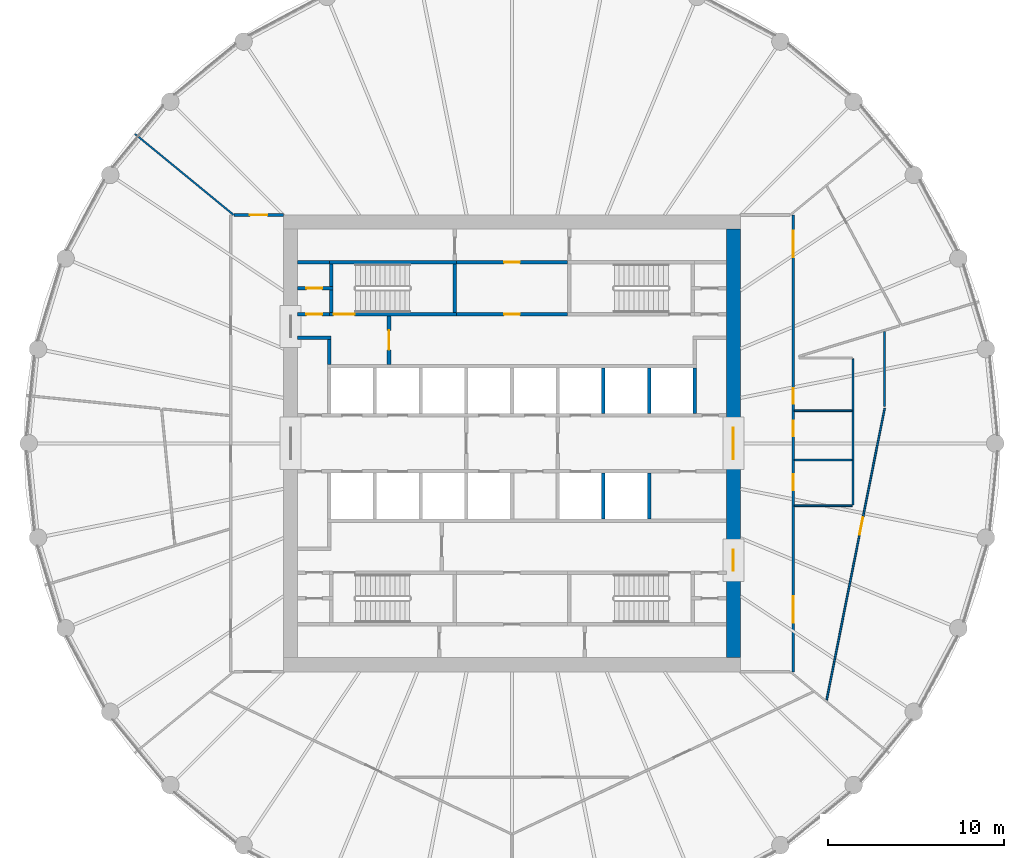
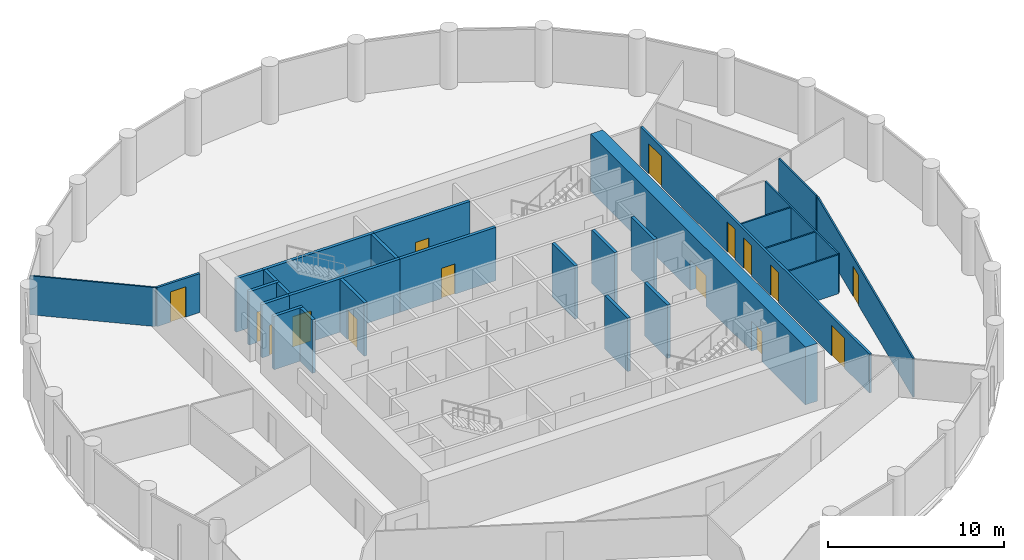
# One storey, part 6 of 8: 28 walls, 15 doors, 15 openings.
"""IFC4 building model written with IfcOpenShell, lengths in metres."""

from ifc_helpers import new_model, si_unit, direction, frame, frame_2d, origin, place, context, subcontext, project, spatial, polyline, rectangle, outline, extrude, material, layer, layer_set, type_object, element, fill, save


model = new_model("IFC4")

# Units and contexts
model_context = context("Model", 3, precision=1e-05, world=origin(), true_north=direction((0.0, 1.0)))
body_context = subcontext(model_context, "Body", "Model", "MODEL_VIEW")
ifc_project = project(units=[si_unit("LENGTHUNIT", "METRE"), si_unit("AREAUNIT", "SQUARE_METRE"), si_unit("VOLUMEUNIT", "CUBIC_METRE"), si_unit("PLANEANGLEUNIT", "RADIAN"), si_unit("MASSUNIT", "GRAM", prefix="KILO")], contexts=[model_context])

# Site, building, storey
site_placement = place(None, origin())
site = spatial("IfcSite", under=ifc_project, at=site_placement, CompositionType="ELEMENT")
building_placement = place(site_placement, origin())
building = spatial("IfcBuilding", under=site, at=building_placement, Name="Corvane Civic Tower", CompositionType="ELEMENT")
storey_placement = place(building_placement, frame((0.0, 0.0, 213.5)))
storey = spatial("IfcBuildingStorey", under=building, at=storey_placement, Name="L50", CompositionType="ELEMENT", Elevation=213.5)

# Wall, openings, doors
ifc_material_1 = material(Name="Concrete C50/60", Category="concrete")
ifc_layer_1 = layer(ifc_material_1, 0.800048828125)
ifc_layer_set_1 = layer_set([ifc_layer_1], Name="Concrete C50/60")
wall_type_1 = type_object("IfcWallType", Name="CORE WALL 800 C50/60", PredefinedType="SHEAR", material=ifc_layer_set_1)
wall_1_placement = place(storey_placement, frame((12.60009765625, -12.199951171875, 0.0), z_axis=(0.0, 0.0, 1.0), x_axis=(0.0, 1.0, 0.0)))
wall_1 = element("IfcWall", 1, at=wall_1_placement, inside=storey, type_object=wall_type_1, Name="W-L50-core-E", PredefinedType="SHEAR", context=body_context, shape_type="SweptSolid", body=[
    extrude(rectangle(XDim=24.39990234375, YDim=0.800048828125, at=frame_2d((12.199951171875, 0.0))), origin(), (0.0, 0.0, 1.0), 4.0),
])
opening_1_placement = place(wall_1_placement, frame((11.300048828125, 0.0, 0.0)))
opening_1 = element("IfcOpeningElement", 2, at=opening_1_placement, cuts=wall_1, Name="Opening L50.C31", PredefinedType="OPENING", context=body_context, shape_type="SweptSolid", body=[
    extrude(rectangle(XDim=1.800048828125, YDim=2.10009765625, at=frame_2d((0.89990234375, 1.050048828125))), frame((0.0, 0.409912109375, 0.0), z_axis=(0.0, -1.0, 0.0), x_axis=(1.0, 0.0, 0.0)), (0.0, 0.0, 1.0), 0.820068359375),
])
opening_2_placement = place(wall_1_placement, frame((4.949951171875, 0.0, 0.0)))
opening_2 = element("IfcOpeningElement", 3, at=opening_2_placement, cuts=wall_1, Name="Opening L50.C33", PredefinedType="OPENING", context=body_context, shape_type="SweptSolid", body=[
    extrude(rectangle(XDim=1.199951171875, YDim=2.10009765625, at=frame_2d((0.60009765625, 1.050048828125))), frame((0.0, 0.409912109375, 0.0), z_axis=(0.0, -1.0, 0.0), x_axis=(1.0, 0.0, 0.0)), (0.0, 0.0, 1.0), 0.820068359375),
])
ifc_material_2 = material(Name="Steel fire door leaf", Category="steel")
door_type_1 = type_object("IfcDoorType", Name="CR-DOOR-CORE-1800", OperationType="DOUBLE_DOOR_SINGLE_SWING", PredefinedType="DOOR", material=ifc_material_2)
door_1_placement = place(opening_1_placement, origin())
door_1 = element("IfcDoor", 4, at=door_1_placement, inside=storey, type_object=door_type_1, Name="L50 door", OperationType="DOUBLE_DOOR_SINGLE_SWING", OverallHeight=2.10009765625, OverallWidth=1.800048828125, PredefinedType="DOOR", context=body_context, shape_type="SweptSolid", body=[
    extrude(rectangle(XDim=1.800048828125, YDim=2.10009765625, at=frame_2d((0.89990234375, 1.050048828125))), frame((0.0, 0.02490234375, 0.0), z_axis=(0.0, -1.0, 0.0), x_axis=(1.0, 0.0, 0.0)), (0.0, 0.0, 1.0), 0.050048828125),
])
fill(opening_1, door_1)
door_2_placement = place(opening_2_placement, origin())
door_2 = element("IfcDoor", 5, at=door_2_placement, inside=storey, type_object=door_type_1, Name="L50 door", OperationType="DOUBLE_DOOR_SINGLE_SWING", OverallHeight=2.10009765625, OverallWidth=1.199951171875, PredefinedType="DOOR", context=body_context, shape_type="SweptSolid", body=[
    extrude(rectangle(XDim=1.199951171875, YDim=2.10009765625, at=frame_2d((0.60009765625, 1.050048828125))), frame((0.0, 0.02490234375, 0.0), z_axis=(0.0, -1.0, 0.0), x_axis=(1.0, 0.0, 0.0)), (0.0, 0.0, 1.0), 0.050048828125),
])
fill(opening_2, door_2)

# Wall, opening, door
ifc_material_3 = material(Name="Concrete C30/37", Category="concrete")
ifc_layer_2 = layer(ifc_material_3, 0.199951171875)
ifc_layer_set_2 = layer_set([ifc_layer_2], Name="Concrete C30/37")
wall_type_2 = type_object("IfcWallType", Name="CR-WALL-200", PredefinedType="PARTITIONING", material=ifc_layer_set_2)
wall_2_placement = place(storey_placement, frame((-12.199951171875, 7.35009765625, 0.0), z_axis=(0.0, 0.0, 1.0), x_axis=(1.0, 0.0, 0.0)))
wall_2 = element("IfcWall", 6, at=wall_2_placement, inside=storey, type_object=wall_type_2, Name="L50 core partition wall", PredefinedType="PARTITIONING", context=body_context, shape_type="SweptSolid", body=[
    extrude(rectangle(XDim=1.800048828125, YDim=0.199951171875, at=frame_2d((0.89990234375, 0.0))), origin(), (0.0, 0.0, 1.0), 3.699951171875),
])
opening_3_placement = place(wall_2_placement, frame((0.5, 0.0, 0.0)))
opening_3 = element("IfcOpeningElement", 7, at=opening_3_placement, cuts=wall_2, Name="Opening L50.C14", PredefinedType="OPENING", context=body_context, shape_type="SweptSolid", body=[
    extrude(rectangle(XDim=0.89990234375, YDim=2.10009765625, at=frame_2d((0.449951171875, 1.050048828125))), frame((0.0, 0.10986328125, 0.0), z_axis=(0.0, -1.0, 0.0), x_axis=(1.0, 0.0, 0.0)), (0.0, 0.0, 1.0), 0.219970703125),
])
ifc_material_4 = material(Name="Steel fire door leaf", Category="steel")
door_type_2 = type_object("IfcDoorType", Name="CR-DOOR-900", OperationType="SINGLE_SWING_LEFT", PredefinedType="DOOR", material=ifc_material_4)
door_3_placement = place(opening_3_placement, origin())
door_3 = element("IfcDoor", 8, at=door_3_placement, inside=storey, type_object=door_type_2, Name="L50 door", OperationType="SINGLE_SWING_LEFT", OverallHeight=2.10009765625, OverallWidth=0.89990234375, PredefinedType="DOOR", context=body_context, shape_type="SweptSolid", body=[
    extrude(rectangle(XDim=0.89990234375, YDim=2.10009765625, at=frame_2d((0.449951171875, 1.050048828125))), frame((0.0, 0.02490234375, 0.0), z_axis=(0.0, -1.0, 0.0), x_axis=(1.0, 0.0, 0.0)), (0.0, 0.0, 1.0), 0.050048828125),
])
fill(opening_3, door_3)

wall_3_placement = place(storey_placement, frame((-3.14990234375, 7.35009765625, 0.0), z_axis=(0.0, 0.0, 1.0), x_axis=(1.0, 0.0, 0.0)))
wall_3 = element("IfcWall", 9, at=wall_3_placement, inside=storey, type_object=wall_type_2, Name="L50 core partition wall", PredefinedType="PARTITIONING", context=body_context, shape_type="SweptSolid", body=[
    extrude(rectangle(XDim=6.2998046875, YDim=0.199951171875, at=frame_2d((3.14990234375, 0.0))), origin(), (0.0, 0.0, 1.0), 3.699951171875),
])
opening_4_placement = place(wall_3_placement, frame((2.699951171875, 0.0, 0.0)))
opening_4 = element("IfcOpeningElement", 10, at=opening_4_placement, cuts=wall_3, Name="Opening L50.C06", PredefinedType="OPENING", context=body_context, shape_type="SweptSolid", body=[
    extrude(rectangle(XDim=0.89990234375, YDim=2.10009765625, at=frame_2d((0.449951171875, 1.050048828125))), frame((0.0, 0.10986328125, 0.0), z_axis=(0.0, -1.0, 0.0), x_axis=(1.0, 0.0, 0.0)), (0.0, 0.0, 1.0), 0.219970703125),
])
door_4_placement = place(opening_4_placement, origin())
door_4 = element("IfcDoor", 11, at=door_4_placement, inside=storey, type_object=door_type_2, Name="L50 door", OperationType="SINGLE_SWING_LEFT", OverallHeight=2.10009765625, OverallWidth=0.89990234375, PredefinedType="DOOR", context=body_context, shape_type="SweptSolid", body=[
    extrude(rectangle(XDim=0.89990234375, YDim=2.10009765625, at=frame_2d((0.449951171875, 1.050048828125))), frame((0.0, 0.02490234375, 0.0), z_axis=(0.0, -1.0, 0.0), x_axis=(1.0, 0.0, 0.0)), (0.0, 0.0, 1.0), 0.050048828125),
])
fill(opening_4, door_4)

wall_4_placement = place(storey_placement, frame((-12.199951171875, 8.824951171875, 0.0), z_axis=(0.0, 0.0, 1.0), x_axis=(1.0, 0.0, 0.0)))
wall_4 = element("IfcWall", 12, at=wall_4_placement, inside=storey, type_object=wall_type_2, Name="L50 partition wall", PredefinedType="PARTITIONING", context=body_context, shape_type="SweptSolid", body=[
    extrude(rectangle(XDim=2.0, YDim=0.199951171875, at=frame_2d((1.0, 0.0))), origin(), (0.0, 0.0, 1.0), 3.699951171875),
])
opening_5_placement = place(wall_4_placement, frame((0.5, 0.0, 0.0)))
opening_5 = element("IfcOpeningElement", 13, at=opening_5_placement, cuts=wall_4, Name="Opening L50.C15", PredefinedType="OPENING", context=body_context, shape_type="SweptSolid", body=[
    extrude(rectangle(XDim=0.89990234375, YDim=2.10009765625, at=frame_2d((0.449951171875, 1.050048828125))), frame((0.0, 0.10986328125, 0.0), z_axis=(0.0, -1.0, 0.0), x_axis=(1.0, 0.0, 0.0)), (0.0, 0.0, 1.0), 0.219970703125),
])
door_5_placement = place(opening_5_placement, origin())
door_5 = element("IfcDoor", 14, at=door_5_placement, inside=storey, type_object=door_type_2, Name="L50 door", OperationType="SINGLE_SWING_LEFT", OverallHeight=2.10009765625, OverallWidth=0.89990234375, PredefinedType="DOOR", context=body_context, shape_type="SweptSolid", body=[
    extrude(rectangle(XDim=0.89990234375, YDim=2.10009765625, at=frame_2d((0.449951171875, 1.050048828125))), frame((0.0, 0.02490234375, 0.0), z_axis=(0.0, -1.0, 0.0), x_axis=(1.0, 0.0, 0.0)), (0.0, 0.0, 1.0), 0.050048828125),
])
fill(opening_5, door_5)

wall_5_placement = place(storey_placement, frame((-3.14990234375, 10.300048828125, 0.0), z_axis=(0.0, 0.0, 1.0), x_axis=(1.0, 0.0, 0.0)))
wall_5 = element("IfcWall", 15, at=wall_5_placement, inside=storey, type_object=wall_type_2, Name="L50 partition wall", PredefinedType="PARTITIONING", context=body_context, shape_type="SweptSolid", body=[
    extrude(rectangle(XDim=6.2998046875, YDim=0.199951171875, at=frame_2d((3.14990234375, 0.0))), origin(), (0.0, 0.0, 1.0), 3.699951171875),
])
opening_6_placement = place(wall_5_placement, frame((2.699951171875, 0.0, 0.0)))
opening_6 = element("IfcOpeningElement", 16, at=opening_6_placement, cuts=wall_5, Name="Opening L50.C09", PredefinedType="OPENING", context=body_context, shape_type="SweptSolid", body=[
    extrude(rectangle(XDim=0.89990234375, YDim=2.10009765625, at=frame_2d((0.449951171875, 1.050048828125))), frame((0.0, 0.10986328125, 0.0), z_axis=(0.0, -1.0, 0.0), x_axis=(1.0, 0.0, 0.0)), (0.0, 0.0, 1.0), 0.219970703125),
])
door_6_placement = place(opening_6_placement, origin())
door_6 = element("IfcDoor", 17, at=door_6_placement, inside=storey, type_object=door_type_2, Name="L50 door", OperationType="SINGLE_SWING_LEFT", OverallHeight=2.10009765625, OverallWidth=0.89990234375, PredefinedType="DOOR", context=body_context, shape_type="SweptSolid", body=[
    extrude(rectangle(XDim=0.89990234375, YDim=2.10009765625, at=frame_2d((0.449951171875, 1.050048828125))), frame((0.0, 0.02490234375, 0.0), z_axis=(0.0, -1.0, 0.0), x_axis=(1.0, 0.0, 0.0)), (0.0, 0.0, 1.0), 0.050048828125),
])
fill(opening_6, door_6)

wall_6_placement = place(storey_placement, frame((-7.0, 4.5, 0.0), z_axis=(0.0, 0.0, 1.0), x_axis=(0.0, 1.0, 0.0)))
wall_6 = element("IfcWall", 18, at=wall_6_placement, inside=storey, type_object=wall_type_2, Name="L50 core partition wall", PredefinedType="PARTITIONING", context=body_context, shape_type="SweptSolid", body=[
    extrude(rectangle(XDim=2.75, YDim=0.199951171875, at=frame_2d((1.375, 0.0))), origin(), (0.0, 0.0, 1.0), 3.699951171875),
])
opening_7_placement = place(wall_6_placement, frame((0.824951171875, 0.0, 0.0)))
opening_7 = element("IfcOpeningElement", 19, at=opening_7_placement, cuts=wall_6, Name="Opening L50.C28", PredefinedType="OPENING", context=body_context, shape_type="SweptSolid", body=[
    extrude(rectangle(XDim=1.10009765625, YDim=2.10009765625, at=frame_2d((0.550048828125, 1.050048828125))), frame((0.0, 0.10986328125, 0.0), z_axis=(0.0, -1.0, 0.0), x_axis=(1.0, 0.0, 0.0)), (0.0, 0.0, 1.0), 0.219970703125),
])
ifc_material_5 = material(Name="Steel fire door leaf", Category="steel")
door_type_3 = type_object("IfcDoorType", Name="CR-DOOR-FFL-1100", OperationType="SINGLE_SWING_LEFT", PredefinedType="DOOR", material=ifc_material_5)
door_7_placement = place(opening_7_placement, origin())
door_7 = element("IfcDoor", 20, at=door_7_placement, inside=storey, type_object=door_type_3, Name="L50 lobby door", OperationType="SINGLE_SWING_LEFT", OverallHeight=2.10009765625, OverallWidth=1.10009765625, PredefinedType="DOOR", context=body_context, shape_type="SweptSolid", body=[
    extrude(rectangle(XDim=1.10009765625, YDim=2.10009765625, at=frame_2d((0.550048828125, 1.050048828125))), frame((0.0, 0.02490234375, 0.0), z_axis=(0.0, -1.0, 0.0), x_axis=(1.0, 0.0, 0.0)), (0.0, 0.0, 1.0), 0.050048828125),
])
fill(opening_7, door_7)

# Walls
wall_7_placement = place(storey_placement, origin())
element("IfcWall", 21, at=wall_7_placement, inside=storey, type_object=wall_type_2, Name="L50 core partition wall", PredefinedType="PARTITIONING", context=body_context, shape_type="SweptSolid", body=[
    extrude(outline(polyline([(5.300048828125, -1.699951171875), (5.300048828125, -4.2998046875), (5.10009765625, -4.2998046875), (5.10009765625, -1.699951171875), (5.300048828125, -1.699951171875)])), origin(), (0.0, 0.0, 1.0), 3.699951171875),
])
wall_8_placement = place(storey_placement, origin())
element("IfcWall", 22, at=wall_8_placement, inside=storey, type_object=wall_type_2, Name="L50 core partition wall", PredefinedType="PARTITIONING", context=body_context, shape_type="SweptSolid", body=[
    extrude(outline(polyline([(7.89990234375, -1.699951171875), (7.89990234375, -4.2998046875), (7.699951171875, -4.2998046875), (7.699951171875, -1.699951171875), (7.89990234375, -1.699951171875)])), origin(), (0.0, 0.0, 1.0), 3.699951171875),
])
wall_9_placement = place(storey_placement, origin())
element("IfcWall", 23, at=wall_9_placement, inside=storey, type_object=wall_type_2, Name="L50 core partition wall", PredefinedType="PARTITIONING", context=body_context, shape_type="SweptSolid", body=[
    extrude(outline(polyline([(5.300048828125, 1.699951171875), (5.10009765625, 1.699951171875), (5.10009765625, 4.2998046875), (5.300048828125, 4.2998046875), (5.300048828125, 1.699951171875)])), origin(), (0.0, 0.0, 1.0), 3.699951171875),
])
wall_10_placement = place(storey_placement, origin())
element("IfcWall", 24, at=wall_10_placement, inside=storey, type_object=wall_type_2, Name="L50 core partition wall", PredefinedType="PARTITIONING", context=body_context, shape_type="SweptSolid", body=[
    extrude(outline(polyline([(7.89990234375, 1.699951171875), (7.699951171875, 1.699951171875), (7.699951171875, 4.2998046875), (7.89990234375, 4.2998046875), (7.89990234375, 1.699951171875)])), origin(), (0.0, 0.0, 1.0), 3.699951171875),
])
wall_11_placement = place(storey_placement, origin())
element("IfcWall", 25, at=wall_11_placement, inside=storey, type_object=wall_type_2, Name="L50 core partition wall", PredefinedType="PARTITIONING", context=body_context, shape_type="SweptSolid", body=[
    extrude(outline(polyline([(10.5, 1.699951171875), (10.300048828125, 1.699951171875), (10.300048828125, 4.2998046875), (10.5, 4.2998046875), (10.5, 1.699951171875)])), origin(), (0.0, 0.0, 1.0), 3.699951171875),
])
wall_12_placement = place(storey_placement, origin())
element("IfcWall", 26, at=wall_12_placement, inside=storey, type_object=wall_type_2, Name="L50 core partition wall", PredefinedType="PARTITIONING", context=body_context, shape_type="SweptSolid", body=[
    extrude(outline(polyline([(-10.300048828125, 5.89990234375), (-12.199951171875, 5.89990234375), (-12.199951171875, 6.10009765625), (-10.300048828125, 6.10009765625), (-10.300048828125, 5.89990234375)])), origin(), (0.0, 0.0, 1.0), 3.699951171875),
])
wall_13_placement = place(storey_placement, origin())
element("IfcWall", 27, at=wall_13_placement, inside=storey, type_object=wall_type_2, Name="L50 core partition wall", PredefinedType="PARTITIONING", context=body_context, shape_type="SweptSolid", body=[
    extrude(outline(polyline([(-10.300048828125, 4.5), (-10.5, 4.5), (-10.5, 5.89990234375), (-10.300048828125, 5.89990234375), (-10.300048828125, 4.5)])), origin(), (0.0, 0.0, 1.0), 3.699951171875),
])
wall_14_placement = place(storey_placement, origin())
element("IfcWall", 28, at=wall_14_placement, inside=storey, type_object=wall_type_2, Name="L50 core partition wall", PredefinedType="PARTITIONING", context=body_context, shape_type="SweptSolid", body=[
    extrude(outline(polyline([(-12.199951171875, 10.199951171875), (-12.199951171875, 10.39990234375), (-10.39990234375, 10.39990234375), (-10.39990234375, 10.199951171875), (-12.199951171875, 10.199951171875)])), origin(), (0.0, 0.0, 1.0), 3.699951171875),
])

# Wall, opening, door
ifc_material_6 = material(Name="Plasterboard")
ifc_layer_3 = layer(ifc_material_6, 0.10009765625)
ifc_layer_set_3 = layer_set([ifc_layer_3], Name="Plasterboard")
wall_type_3 = type_object("IfcWallType", Name="Partition 100 plasterboard on studs", PredefinedType="PARTITIONING", material=ifc_layer_set_3)
wall_15_placement = place(storey_placement, frame((17.9072265625, -14.60107421875, 0.0), z_axis=(0.0, 0.0, 1.0), x_axis=(0.195095122921, 0.980784325432, 0.0)))
wall_15 = element("IfcWall", 29, at=wall_15_placement, inside=storey, type_object=wall_type_3, Name="Partition L50.007", PredefinedType="PARTITIONING", context=body_context, shape_type="SweptSolid", body=[
    extrude(rectangle(XDim=16.923828125, YDim=0.10009765625, at=frame_2d((8.4619140625, 0.0))), origin(), (0.0, 0.0, 1.0), 2.699951171875),
])
opening_8_placement = place(wall_15_placement, frame((9.586669921875, 0.0, 0.0)))
opening_8 = element("IfcOpeningElement", 30, at=opening_8_placement, cuts=wall_15, Name="Opening L50.008", PredefinedType="OPENING", context=body_context, shape_type="SweptSolid", body=[
    extrude(rectangle(XDim=1.0, YDim=2.10009765625, at=frame_2d((0.5, 1.050048828125))), frame((0.0, 0.06005859375, 0.0), z_axis=(0.0, -1.0, 0.0), x_axis=(1.0, 0.0, 0.0)), (0.0, 0.0, 1.0), 0.1201171875),
])
ifc_material_7 = material(Name="Timber", Category="wood")
door_type_4 = type_object("IfcDoorType", Name="Single door 1000", OperationType="NOTDEFINED", PredefinedType="DOOR", material=ifc_material_7)
door_8_placement = place(opening_8_placement, frame((1.0, 0.0, 0.0), z_axis=(0.0, 0.0, 1.0), x_axis=(-1.0, 0.0, 0.0)))
door_8 = element("IfcDoor", 31, at=door_8_placement, inside=storey, type_object=door_type_4, Name="Door L50.008", OperationType="SINGLE_SWING_LEFT", OverallHeight=2.10009765625, OverallWidth=1.0, PredefinedType="DOOR", context=body_context, shape_type="SweptSolid", body=[
    extrude(rectangle(XDim=1.0, YDim=2.10009765625, at=frame_2d((0.5, 1.050048828125))), frame((0.0, 0.02490234375, 0.0), z_axis=(0.0, -1.0, 0.0), x_axis=(1.0, 0.0, 0.0)), (0.0, 0.0, 1.0), 0.050048828125),
])
fill(opening_8, door_8)

# Walls
wall_16_placement = place(storey_placement, frame((16.074951171875, -3.54638671875, 0.0), z_axis=(0.0, 0.0, 1.0), x_axis=(1.0, 0.0, 0.0)))
element("IfcWall", 32, at=wall_16_placement, inside=storey, type_object=wall_type_3, Name="Partition L50.014", PredefinedType="PARTITIONING", context=body_context, shape_type="SweptSolid", body=[
    extrude(rectangle(XDim=3.275146484375, YDim=0.10009765625, at=frame_2d((1.6376953125, 0.0))), origin(), (0.0, 0.0, 1.0), 2.699951171875),
])
wall_17_placement = place(storey_placement, frame((19.39990234375, -3.49658203125, 0.0), z_axis=(0.0, 0.0, 1.0), x_axis=(0.0, 1.0, 0.0)))
element("IfcWall", 33, at=wall_17_placement, inside=storey, type_object=wall_type_3, Name="Partition L50.015", PredefinedType="PARTITIONING", context=body_context, shape_type="SweptSolid", body=[
    extrude(rectangle(XDim=8.300048828125, YDim=0.10009765625, at=frame_2d((4.14990234375, 0.0))), origin(), (0.0, 0.0, 1.0), 2.699951171875),
])
for number, where, z_axis, x_axis, name in (
    (34, (16.074951171875, -0.946533203125, 0.0), (0.0, 0.0, 1.0), (1.0, 0.0, 0.0), "Partition L50.016"),
    (35, (16.074951171875, 1.853515625, 0.0), (0.0, 0.0, 1.0), (1.0, 0.0, 0.0), "Partition L50.018"),
):
    element("IfcWall", number, at=place(storey_placement, frame(where, z_axis=z_axis, x_axis=x_axis)), inside=storey, type_object=wall_type_3, Name=name, PredefinedType="PARTITIONING", context=body_context, shape_type="SweptSolid", body=[
        extrude(rectangle(XDim=3.275146484375, YDim=0.10009765625, at=frame_2d((1.6376953125, 0.0))), origin(), (0.0, 0.0, 1.0), 2.699951171875),
    ])
wall_18_placement = place(storey_placement, frame((21.199951171875, 2.103515625, 0.0), z_axis=(0.0, 0.0, 1.0), x_axis=(0.0, 1.0, 0.0)))
element("IfcWall", 36, at=wall_18_placement, inside=storey, type_object=wall_type_3, Name="Partition L50.020", PredefinedType="PARTITIONING", context=body_context, shape_type="SweptSolid", body=[
    extrude(rectangle(XDim=4.260009765625, YDim=0.10009765625, at=frame_2d((2.1298828125, 0.0))), origin(), (0.0, 0.0, 1.0), 2.699951171875),
])
wall_19_placement = place(storey_placement, frame((-21.451171875, 17.6044921875, 0.0), z_axis=(0.0, 0.0, 1.0), x_axis=(0.772997895748, -0.634408585352, 0.0)))
element("IfcWall", 37, at=wall_19_placement, inside=storey, type_object=wall_type_3, Name="Partition L50.027", PredefinedType="PARTITIONING", context=body_context, shape_type="SweptSolid", body=[
    extrude(rectangle(XDim=7.240234375, YDim=0.10009765625, at=frame_2d((3.6201171875, 0.0))), origin(), (0.0, 0.0, 1.0), 2.699951171875),
])

# Wall, opening, door
ifc_material_8 = material(Name="Concrete C50/60", Category="concrete")
ifc_layer_4 = layer(ifc_material_8, 0.199951171875)
ifc_layer_set_4 = layer_set([ifc_layer_4], Name="Concrete C50/60")
wall_type_4 = type_object("IfcWallType", Name="ST-WALL-200", PredefinedType="SHEAR", material=ifc_layer_set_4)
wall_20_placement = place(storey_placement, frame((-10.39990234375, 7.35009765625, 0.0), z_axis=(0.0, 0.0, 1.0), x_axis=(1.0, 0.0, 0.0)))
wall_20 = element("IfcWall", 38, at=wall_20_placement, inside=storey, type_object=wall_type_4, Name="L50 stair enclosure wall", PredefinedType="SHEAR", context=body_context, shape_type="SweptSolid", body=[
    extrude(rectangle(XDim=7.25, YDim=0.199951171875, at=frame_2d((3.625, 0.0))), origin(), (0.0, 0.0, 1.0), 3.699951171875),
])
opening_9_placement = place(wall_20_placement, frame((0.25, 0.0, 0.0)))
opening_9 = element("IfcOpeningElement", 39, at=opening_9_placement, cuts=wall_20, Name="Opening L50.C23", PredefinedType="OPENING", context=body_context, shape_type="SweptSolid", body=[
    extrude(rectangle(XDim=1.199951171875, YDim=2.10009765625, at=frame_2d((0.60009765625, 1.050048828125))), frame((0.0, 0.10986328125, 0.0), z_axis=(0.0, -1.0, 0.0), x_axis=(1.0, 0.0, 0.0)), (0.0, 0.0, 1.0), 0.219970703125),
])
ifc_material_9 = material(Name="Steel fire door leaf", Category="steel")
door_type_5 = type_object("IfcDoorType", Name="ST-DOOR-1200", OperationType="SINGLE_SWING_RIGHT", PredefinedType="DOOR", material=ifc_material_9)
door_9_placement = place(opening_9_placement, origin())
door_9 = element("IfcDoor", 40, at=door_9_placement, inside=storey, type_object=door_type_5, Name="L50 stair door", OperationType="SINGLE_SWING_RIGHT", OverallHeight=2.10009765625, OverallWidth=1.199951171875, PredefinedType="DOOR", context=body_context, shape_type="SweptSolid", body=[
    extrude(rectangle(XDim=1.199951171875, YDim=2.10009765625, at=frame_2d((0.60009765625, 1.050048828125))), frame((0.0, 0.02490234375, 0.0), z_axis=(0.0, -1.0, 0.0), x_axis=(1.0, 0.0, 0.0)), (0.0, 0.0, 1.0), 0.050048828125),
])
fill(opening_9, door_9)

# Walls
wall_21_placement = place(storey_placement, origin())
element("IfcWall", 41, at=wall_21_placement, inside=storey, type_object=wall_type_4, Name="L50 stair enclosure wall", PredefinedType="SHEAR", context=body_context, shape_type="SweptSolid", body=[
    extrude(outline(polyline([(-3.14990234375, 10.199951171875), (-10.39990234375, 10.199951171875), (-10.39990234375, 10.39990234375), (-3.14990234375, 10.39990234375), (-3.14990234375, 10.199951171875)])), origin(), (0.0, 0.0, 1.0), 3.699951171875),
])
wall_22_placement = place(storey_placement, origin())
element("IfcWall", 42, at=wall_22_placement, inside=storey, type_object=wall_type_4, Name="L50 stair enclosure wall", PredefinedType="SHEAR", context=body_context, shape_type="SweptSolid", body=[
    extrude(outline(polyline([(-3.14990234375, 7.449951171875), (-3.35009765625, 7.449951171875), (-3.35009765625, 10.199951171875), (-3.14990234375, 10.199951171875), (-3.14990234375, 7.449951171875)])), origin(), (0.0, 0.0, 1.0), 3.699951171875),
])
wall_23_placement = place(storey_placement, origin())
element("IfcWall", 43, at=wall_23_placement, inside=storey, type_object=wall_type_4, Name="L50 stair enclosure wall", PredefinedType="SHEAR", context=body_context, shape_type="SweptSolid", body=[
    extrude(outline(polyline([(-10.199951171875, 8.72509765625), (-10.199951171875, 7.449951171875), (-10.39990234375, 7.449951171875), (-10.39990234375, 8.72509765625), (-10.199951171875, 8.72509765625)])), origin(), (0.0, 0.0, 1.0), 3.699951171875),
])
wall_24_placement = place(storey_placement, origin())
element("IfcWall", 44, at=wall_24_placement, inside=storey, type_object=wall_type_4, Name="L50 stair enclosure wall", PredefinedType="SHEAR", context=body_context, shape_type="SweptSolid", body=[
    extrude(outline(polyline([(-10.199951171875, 8.925048828125), (-10.39990234375, 8.925048828125), (-10.39990234375, 10.199951171875), (-10.199951171875, 10.199951171875), (-10.199951171875, 8.925048828125)])), origin(), (0.0, 0.0, 1.0), 3.699951171875),
])

# Wall, openings, doors
ifc_material_10 = material(Name="Plasterboard")
ifc_layer_5 = layer(ifc_material_10, 0.14990234375)
ifc_layer_set_5 = layer_set([ifc_layer_5], Name="Plasterboard")
wall_type_5 = type_object("IfcWallType", Name="Tenancy wall 150 EI 60", PredefinedType="PARTITIONING", material=ifc_layer_set_5)
wall_25_placement = place(storey_placement, frame((16.0, -13.0, 0.0), z_axis=(0.0, 0.0, 1.0), x_axis=(0.0, 1.0, 0.0)))
wall_25 = element("IfcWall", 45, at=wall_25_placement, inside=storey, type_object=wall_type_5, Name="Partition L50.011", PredefinedType="PARTITIONING", context=body_context, shape_type="SweptSolid", body=[
    extrude(rectangle(XDim=26.0, YDim=0.14990234375, at=frame_2d((13.0, 0.0))), origin(), (0.0, 0.0, 1.0), 2.699951171875),
])
opening_10_placement = place(wall_25_placement, frame((23.593505859375, 0.0, 0.0)))
opening_10 = element("IfcOpeningElement", 46, at=opening_10_placement, cuts=wall_25, Name="Opening L50.007", PredefinedType="OPENING", context=body_context, shape_type="SweptSolid", body=[
    extrude(rectangle(XDim=1.5, YDim=2.10009765625, at=frame_2d((0.75, 1.050048828125))), frame((0.0, 0.0849609375, 0.0), z_axis=(0.0, -1.0, 0.0), x_axis=(1.0, 0.0, 0.0)), (0.0, 0.0, 1.0), 0.169921875),
])
opening_11_placement = place(wall_25_placement, frame((2.7958984375, 0.0, 0.0)))
opening_11 = element("IfcOpeningElement", 47, at=opening_11_placement, cuts=wall_25, Name="Opening L50.009", PredefinedType="OPENING", context=body_context, shape_type="SweptSolid", body=[
    extrude(rectangle(XDim=1.5, YDim=2.10009765625, at=frame_2d((0.75, 1.050048828125))), frame((0.0, 0.0849609375, 0.0), z_axis=(0.0, -1.0, 0.0), x_axis=(1.0, 0.0, 0.0)), (0.0, 0.0, 1.0), 0.169921875),
])
opening_12_placement = place(wall_25_placement, frame((15.246826171875, 0.0, 0.0)))
opening_12 = element("IfcOpeningElement", 48, at=opening_12_placement, cuts=wall_25, Name="Opening L50.010", PredefinedType="OPENING", context=body_context, shape_type="SweptSolid", body=[
    extrude(rectangle(XDim=0.89990234375, YDim=2.10009765625, at=frame_2d((0.449951171875, 1.050048828125))), frame((0.0, 0.0849609375, 0.0), z_axis=(0.0, -1.0, 0.0), x_axis=(1.0, 0.0, 0.0)), (0.0, 0.0, 1.0), 0.169921875),
])
opening_13_placement = place(wall_25_placement, frame((13.3955078125, 0.0, 0.0)))
opening_13 = element("IfcOpeningElement", 49, at=opening_13_placement, cuts=wall_25, Name="Opening L50.011", PredefinedType="OPENING", context=body_context, shape_type="SweptSolid", body=[
    extrude(rectangle(XDim=0.89990234375, YDim=2.10009765625, at=frame_2d((0.449951171875, 1.050048828125))), frame((0.0, 0.0849609375, 0.0), z_axis=(0.0, -1.0, 0.0), x_axis=(1.0, 0.0, 0.0)), (0.0, 0.0, 1.0), 0.169921875),
])
opening_14_placement = place(wall_25_placement, frame((10.332763671875, 0.0, 0.0)))
opening_14 = element("IfcOpeningElement", 50, at=opening_14_placement, cuts=wall_25, Name="Opening L50.012", PredefinedType="OPENING", context=body_context, shape_type="SweptSolid", body=[
    extrude(rectangle(XDim=0.89990234375, YDim=2.10009765625, at=frame_2d((0.449951171875, 1.050048828125))), frame((0.0, 0.0849609375, 0.0), z_axis=(0.0, -1.0, 0.0), x_axis=(1.0, 0.0, 0.0)), (0.0, 0.0, 1.0), 0.169921875),
])
ifc_material_11 = material(Name="Steel and timber", Category="steel")
door_type_6 = type_object("IfcDoorType", Name="Fire door FD30S 900", OperationType="NOTDEFINED", PredefinedType="DOOR", material=ifc_material_11)
door_10_placement = place(opening_12_placement, frame((0.89990234375, 0.0, 0.0), z_axis=(0.0, 0.0, 1.0), x_axis=(-1.0, 0.0, 0.0)))
door_10 = element("IfcDoor", 51, at=door_10_placement, inside=storey, type_object=door_type_6, Name="Door L50.010", OperationType="SINGLE_SWING_LEFT", OverallHeight=2.10009765625, OverallWidth=0.89990234375, PredefinedType="DOOR", context=body_context, shape_type="SweptSolid", body=[
    extrude(rectangle(XDim=0.89990234375, YDim=2.10009765625, at=frame_2d((0.449951171875, 1.050048828125))), frame((0.0, 0.02490234375, 0.0), z_axis=(0.0, -1.0, 0.0), x_axis=(1.0, 0.0, 0.0)), (0.0, 0.0, 1.0), 0.050048828125),
])
fill(opening_12, door_10)
door_11_placement = place(opening_13_placement, frame((0.89990234375, 0.0, 0.0), z_axis=(0.0, 0.0, 1.0), x_axis=(-1.0, 0.0, 0.0)))
door_11 = element("IfcDoor", 52, at=door_11_placement, inside=storey, type_object=door_type_6, Name="Door L50.011", OperationType="SINGLE_SWING_LEFT", OverallHeight=2.10009765625, OverallWidth=0.89990234375, PredefinedType="DOOR", context=body_context, shape_type="SweptSolid", body=[
    extrude(rectangle(XDim=0.89990234375, YDim=2.10009765625, at=frame_2d((0.449951171875, 1.050048828125))), frame((0.0, 0.02490234375, 0.0), z_axis=(0.0, -1.0, 0.0), x_axis=(1.0, 0.0, 0.0)), (0.0, 0.0, 1.0), 0.050048828125),
])
fill(opening_13, door_11)
door_12_placement = place(opening_14_placement, frame((0.89990234375, 0.0, 0.0), z_axis=(0.0, 0.0, 1.0), x_axis=(-1.0, 0.0, 0.0)))
door_12 = element("IfcDoor", 53, at=door_12_placement, inside=storey, type_object=door_type_6, Name="Door L50.012", OperationType="SINGLE_SWING_RIGHT", OverallHeight=2.10009765625, OverallWidth=0.89990234375, PredefinedType="DOOR", context=body_context, shape_type="SweptSolid", body=[
    extrude(rectangle(XDim=0.89990234375, YDim=2.10009765625, at=frame_2d((0.449951171875, 1.050048828125))), frame((0.0, 0.02490234375, 0.0), z_axis=(0.0, -1.0, 0.0), x_axis=(1.0, 0.0, 0.0)), (0.0, 0.0, 1.0), 0.050048828125),
])
fill(opening_14, door_12)
ifc_material_12 = material(Name="Steel and timber", Category="steel")
door_type_7 = type_object("IfcDoorType", Name="Fire door FD60 double 1500", OperationType="NOTDEFINED", PredefinedType="DOOR", material=ifc_material_12)
door_13_placement = place(opening_10_placement, frame((1.5, 0.0, 0.0), z_axis=(0.0, 0.0, 1.0), x_axis=(-1.0, 0.0, 0.0)))
door_13 = element("IfcDoor", 54, at=door_13_placement, inside=storey, type_object=door_type_7, Name="Door L50.007", OperationType="DOUBLE_DOOR_SINGLE_SWING", OverallHeight=2.10009765625, OverallWidth=1.5, PredefinedType="DOOR", context=body_context, shape_type="SweptSolid", body=[
    extrude(rectangle(XDim=1.5, YDim=2.10009765625, at=frame_2d((0.75, 1.050048828125))), frame((0.0, 0.02490234375, 0.0), z_axis=(0.0, -1.0, 0.0), x_axis=(1.0, 0.0, 0.0)), (0.0, 0.0, 1.0), 0.050048828125),
])
fill(opening_10, door_13)
door_14_placement = place(opening_11_placement, frame((1.5, 0.0, 0.0), z_axis=(0.0, 0.0, 1.0), x_axis=(-1.0, 0.0, 0.0)))
door_14 = element("IfcDoor", 55, at=door_14_placement, inside=storey, type_object=door_type_7, Name="Door L50.009", OperationType="DOUBLE_DOOR_SINGLE_SWING", OverallHeight=2.10009765625, OverallWidth=1.5, PredefinedType="DOOR", context=body_context, shape_type="SweptSolid", body=[
    extrude(rectangle(XDim=1.5, YDim=2.10009765625, at=frame_2d((0.75, 1.050048828125))), frame((0.0, 0.02490234375, 0.0), z_axis=(0.0, -1.0, 0.0), x_axis=(1.0, 0.0, 0.0)), (0.0, 0.0, 1.0), 0.050048828125),
])
fill(opening_11, door_14)

# Wall, opening, door
wall_26_placement = place(storey_placement, frame((-15.813720703125, 13.0, 0.0), z_axis=(0.0, 0.0, 1.0), x_axis=(1.0, 0.0, 0.0)))
wall_26 = element("IfcWall", 56, at=wall_26_placement, inside=storey, type_object=wall_type_5, Name="Partition L50.025", PredefinedType="PARTITIONING", context=body_context, shape_type="SweptSolid", body=[
    extrude(rectangle(XDim=2.82373046875, YDim=0.14990234375, at=frame_2d((1.411865234375, 0.0))), origin(), (0.0, 0.0, 1.0), 2.699951171875),
])
opening_15_placement = place(wall_26_placement, frame((0.894287109375, 0.0, 0.0)))
opening_15 = element("IfcOpeningElement", 57, at=opening_15_placement, cuts=wall_26, Name="Opening L50.001", PredefinedType="OPENING", context=body_context, shape_type="SweptSolid", body=[
    extrude(rectangle(XDim=1.0, YDim=2.10009765625, at=frame_2d((0.5, 1.050048828125))), frame((0.0, 0.0849609375, 0.0), z_axis=(0.0, -1.0, 0.0), x_axis=(1.0, 0.0, 0.0)), (0.0, 0.0, 1.0), 0.169921875),
])
ifc_material_13 = material(Name="Steel and timber", Category="steel")
door_type_8 = type_object("IfcDoorType", Name="Fire door FD30S 1000", OperationType="NOTDEFINED", PredefinedType="DOOR", material=ifc_material_13)
door_15_placement = place(opening_15_placement, origin())
door_15 = element("IfcDoor", 58, at=door_15_placement, inside=storey, type_object=door_type_8, Name="Door L50.001", OperationType="SINGLE_SWING_LEFT", OverallHeight=2.10009765625, OverallWidth=1.0, PredefinedType="DOOR", context=body_context, shape_type="SweptSolid", body=[
    extrude(rectangle(XDim=1.0, YDim=2.10009765625, at=frame_2d((0.5, 1.050048828125))), frame((0.0, 0.02490234375, 0.0), z_axis=(0.0, -1.0, 0.0), x_axis=(1.0, 0.0, 0.0)), (0.0, 0.0, 1.0), 0.050048828125),
])
fill(opening_15, door_15)

save(model, "model.ifc")
